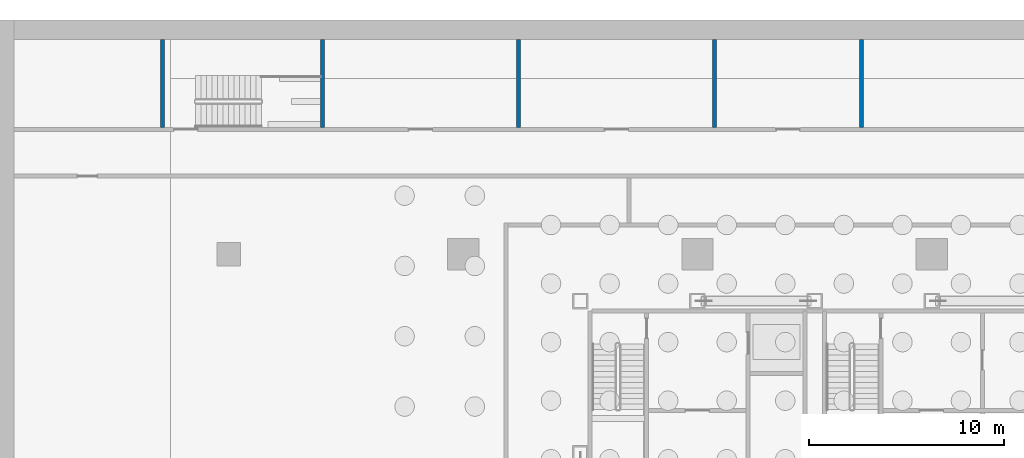
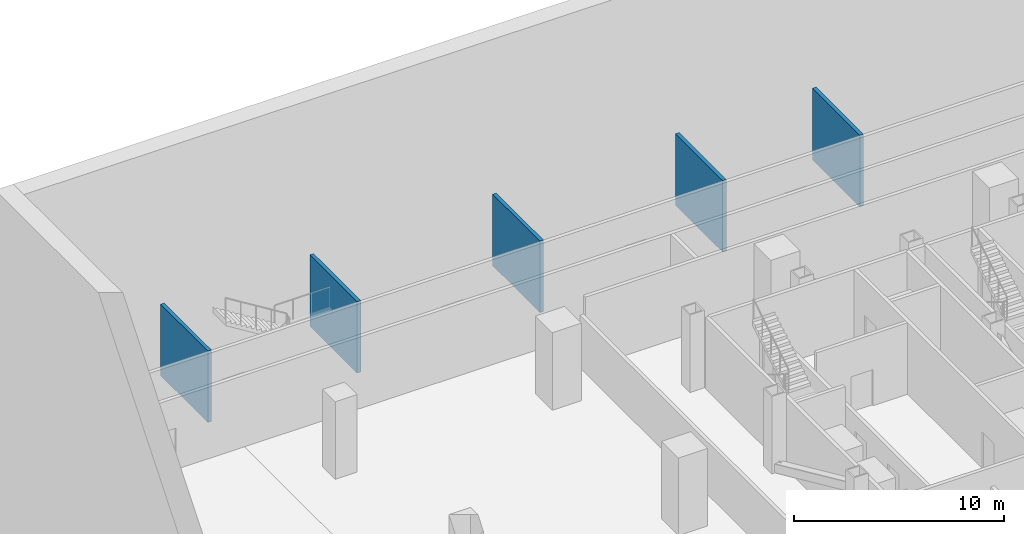
# One storey, part 11 of 18: 5 walls.
"""IFC4 building model written with IfcOpenShell, lengths in metres."""

from ifc_helpers import new_model, si_unit, direction, frame, frame_2d, origin, place, context, subcontext, project, spatial, rectangle, extrude, material, layer, layer_set, type_object, element, save


model = new_model("IFC4")

# Units and contexts
model_context = context("Model", 3, precision=1e-05, world=origin(), true_north=direction((0.0, 1.0)))
body_context = subcontext(model_context, "Body", "Model", "MODEL_VIEW")
ifc_project = project(units=[si_unit("LENGTHUNIT", "METRE"), si_unit("AREAUNIT", "SQUARE_METRE"), si_unit("VOLUMEUNIT", "CUBIC_METRE"), si_unit("PLANEANGLEUNIT", "RADIAN"), si_unit("MASSUNIT", "GRAM", prefix="KILO")], contexts=[model_context])

# Site, building, storey
site_placement = place(None, origin())
site = spatial("IfcSite", under=ifc_project, at=site_placement, CompositionType="ELEMENT")
building_placement = place(site_placement, origin())
building = spatial("IfcBuilding", under=site, at=building_placement, Name="Sorahane Residences", CompositionType="ELEMENT")
storey_placement = place(building_placement, frame((0.0, 0.0, -13.5)))
storey = spatial("IfcBuildingStorey", under=building, at=storey_placement, Name="B3", CompositionType="ELEMENT", Elevation=-13.5)

# Walls
ifc_material_1 = material(Name="Concrete blockwork C20 wall", Category="masonry")
ifc_layer_1 = layer(ifc_material_1, 0.199951171875)
ifc_layer_set_1 = layer_set([ifc_layer_1], Name="Fire wall 200 EI 120")
wall_type_1 = type_object("IfcWallType", Name="Fire wall 200 EI 120", PredefinedType="SOLIDWALL", material=ifc_layer_set_1)
wall_1_placement = place(storey_placement, frame((-15.39990234375, 54.5, 0.0), z_axis=(0.0, 0.0, 1.0), x_axis=(0.0, 1.0, 0.0)))
element("IfcWall", 1, at=wall_1_placement, inside=storey, type_object=wall_type_1, Name="B3 fire wall", PredefinedType="SOLIDWALL", context=body_context, shape_type="SweptSolid", body=[
    extrude(rectangle(XDim=4.5, YDim=0.199951171875, at=frame_2d((2.25, 0.0))), origin(), (0.0, 0.0, 1.0), 4.14990234375),
])
ifc_material_2 = material(Name="Concrete blockwork C20 wall", Category="masonry")
ifc_layer_2 = layer(ifc_material_2, 0.199951171875)
ifc_layer_set_2 = layer_set([ifc_layer_2], Name="Plant wall 200 EI 120")
wall_type_2 = type_object("IfcWallType", Name="Plant wall 200 EI 120", PredefinedType="SOLIDWALL", material=ifc_layer_set_2)
for number, where, z_axis, x_axis, name in (
    (2, (2.83740234375, 54.5, 0.0), (0.0, 0.0, 1.0), (0.0, 1.0, 0.0), "B3 plant wall"),
    (3, (12.875, 54.5, 0.0), (0.0, 0.0, 1.0), (0.0, 1.0, 0.0), "B3 plant wall"),
    (4, (20.403076171875, 54.5, 0.0), (0.0, 0.0, 1.0), (0.0, 1.0, 0.0), "B3 plant wall"),
):
    element("IfcWall", number, at=place(storey_placement, frame(where, z_axis=z_axis, x_axis=x_axis)), inside=storey, type_object=wall_type_2, Name=name, PredefinedType="SOLIDWALL", context=body_context, shape_type="SweptSolid", body=[
        extrude(rectangle(XDim=4.5, YDim=0.199951171875, at=frame_2d((2.25, 0.0))), origin(), (0.0, 0.0, 1.0), 4.14990234375),
    ])
ifc_material_3 = material(Name="Concrete C30", Category="concrete")
ifc_layer_3 = layer(ifc_material_3, 0.199951171875)
ifc_layer_set_3 = layer_set([ifc_layer_3], Name="Stair enclosure wall 200 EI 120")
wall_type_3 = type_object("IfcWallType", Name="Stair enclosure wall 200 EI 120", PredefinedType="SOLIDWALL", material=ifc_layer_set_3)
wall_2_placement = place(storey_placement, frame((-7.199951171875, 54.5, 0.0), z_axis=(0.0, 0.0, 1.0), x_axis=(0.0, 1.0, 0.0)))
element("IfcWall", 5, at=wall_2_placement, inside=storey, type_object=wall_type_3, Name="B3 fire wall", PredefinedType="SOLIDWALL", context=body_context, shape_type="SweptSolid", body=[
    extrude(rectangle(XDim=4.5, YDim=0.199951171875, at=frame_2d((2.25, 0.0))), origin(), (0.0, 0.0, 1.0), 4.14990234375),
])

save(model, "model.ifc")
